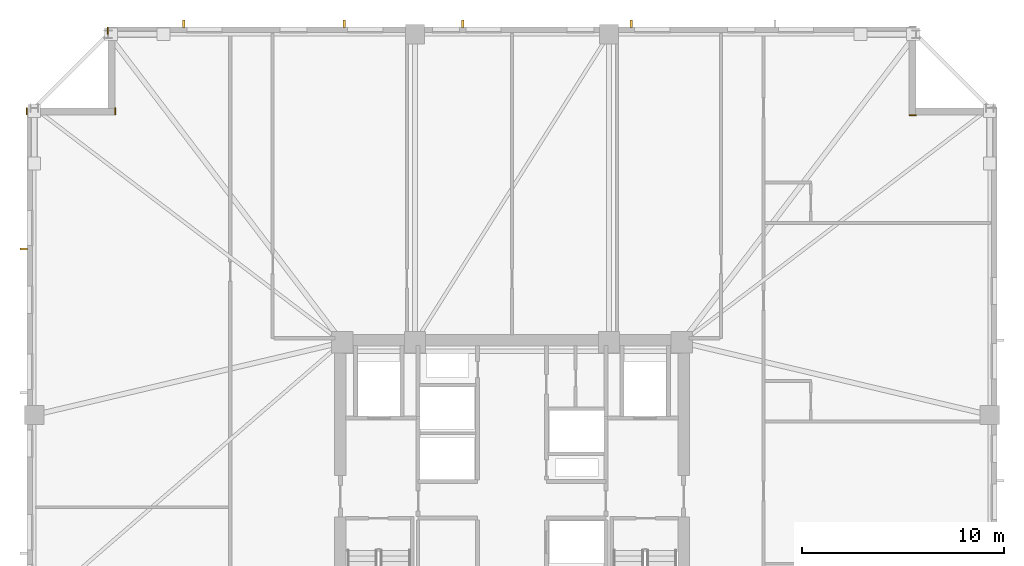
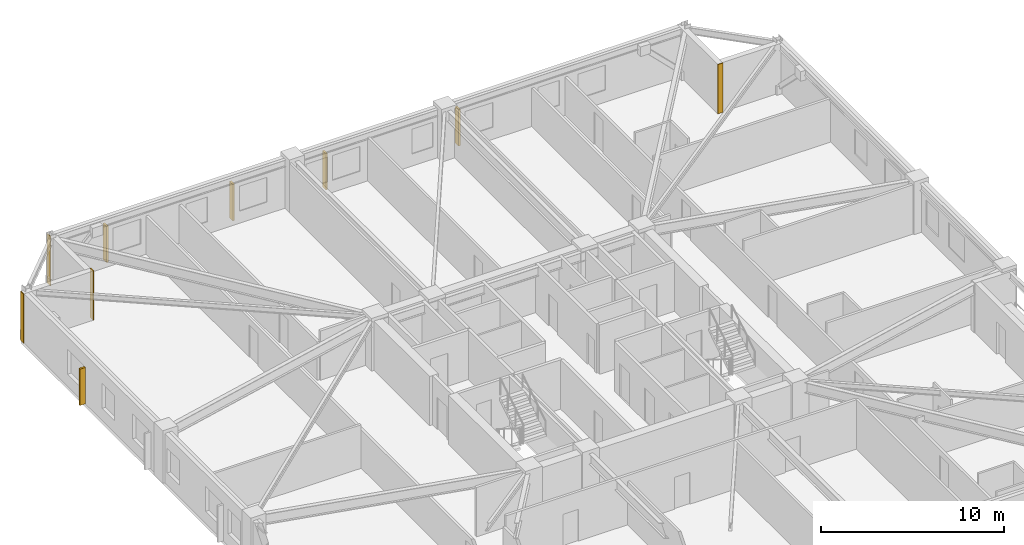
# One storey, part 9 of 10: 5 shading devices, 4 coverings.
"""IFC4 building model written with IfcOpenShell, lengths in metres."""

from ifc_helpers import new_model, si_unit, direction, frame, frame_2d, origin, origin_2d, place, context, subcontext, project, spatial, rectangle, extrude, material, layer, layer_set, type_object, element, save


model = new_model("IFC4")

# Units and contexts
model_context = context("Model", 3, precision=1e-05, world=origin(), true_north=direction((0.0, 1.0)))
body_context = subcontext(model_context, "Body", "Model", "MODEL_VIEW")
ifc_project = project(units=[si_unit("LENGTHUNIT", "METRE"), si_unit("AREAUNIT", "SQUARE_METRE"), si_unit("VOLUMEUNIT", "CUBIC_METRE"), si_unit("PLANEANGLEUNIT", "RADIAN"), si_unit("MASSUNIT", "GRAM", prefix="KILO")], contexts=[model_context])

# Site, building, storey
site_placement = place(None, origin())
site = spatial("IfcSite", under=ifc_project, at=site_placement, CompositionType="ELEMENT")
building_placement = place(site_placement, origin())
building = spatial("IfcBuilding", under=site, at=building_placement, Name="Cairnveth Concourse Tower", CompositionType="ELEMENT")
storey_placement = place(building_placement, frame((0.0, 0.0, 179.5)))
storey = spatial("IfcBuildingStorey", under=building, at=storey_placement, Name="L49", CompositionType="ELEMENT", Elevation=179.5)

# Coverings
ifc_material_1 = material(Name="Dressed Melbourne Bluestone Cladding", Category="masonry")
ifc_layer = layer(ifc_material_1, 0.050048828125)
ifc_layer_set = layer_set([ifc_layer], Name="Dressed Melbourne Bluestone Cladding")
covering_type = type_object("IfcCoveringType", Name="DRESSED BLUESTONE PLINTH CLADDING 50", PredefinedType="CLADDING", material=ifc_layer_set)
for number, where, z_axis, x_axis, name in (
    (1, (27.97998046875, 58.659912109375, 0.0), (0.0, 0.0, 1.0), (0.0, 1.0, 0.0), "Melbourne Bluestone Corner Quoin L49-730"),
    (2, (32.360107421875, 58.659912109375, 0.0), (0.0, 0.0, 1.0), (0.0, 1.0, 0.0), "Melbourne Bluestone Corner Quoin L49-731"),
    (3, (31.97998046875, 62.659912109375, 0.0), (0.0, 0.0, 1.0), (0.0, 1.0, 0.0), "Melbourne Bluestone Corner Quoin L49-732"),
    (4, (71.659912109375, 58.639892578125, 0.0), (0.0, 0.0, 1.0), (1.0, 0.0, 0.0), "Melbourne Bluestone Corner Quoin L49-734"),
):
    element("IfcCovering", number, at=place(storey_placement, frame(where, z_axis=z_axis, x_axis=x_axis)), inside=storey, type_object=covering_type, Name=name, PredefinedType="CLADDING", context=body_context, shape_type="SweptSolid", body=[
        extrude(rectangle(XDim=0.340087890625, YDim=0.050048828125, at=frame_2d((0.169921875, 0.0))), origin(), (0.0, 0.0, 1.0), 3.280029296875),
    ])

# Shading devices
ifc_material_2 = material(Name="Architectural Bronze Anodised Aluminium 6063-T6", Category="aluminium")
shading_device_type = type_object("IfcShadingDeviceType", Name="GOTHIC BRONZE VERTICAL LANCET FIN", PredefinedType="USERDEFINED", material=ifc_material_2)
for number, where, z_axis, x_axis, name in (
    (5, (27.824951171875, 52.020263671875, 0.030029296875), (0.0, 0.0, 1.0), (0.0, 1.0, 0.0), "Gothic Bronze Vertical Fin L49-6-9"),
    (6, (35.74169921875, 63.175048828125, 0.030029296875), (0.0, 0.0, 1.0), (1.0, 0.0, 0.0), "Gothic Bronze Vertical Fin L49-9-1"),
    (7, (43.698974609375, 63.175048828125, 0.030029296875), (0.0, 0.0, 1.0), (1.0, 0.0, 0.0), "Gothic Bronze Vertical Fin L49-9-3"),
    (8, (49.555908203125, 63.175048828125, 0.030029296875), (0.0, 0.0, 1.0), (1.0, 0.0, 0.0), "Gothic Bronze Vertical Fin L49-9-5"),
    (9, (57.9130859375, 63.175048828125, 0.030029296875), (0.0, 0.0, 1.0), (1.0, 0.0, 0.0), "Gothic Bronze Vertical Fin L49-9-7"),
):
    element("IfcShadingDevice", number, at=place(storey_placement, frame(where, z_axis=z_axis, x_axis=x_axis)), inside=storey, type_object=shading_device_type, Name=name, ObjectType="VERTICAL FIN", PredefinedType="USERDEFINED", context=body_context, shape_type="SweptSolid", body=[
        extrude(rectangle(XDim=0.1201171875, YDim=0.360107421875, at=origin_2d()), origin(), (0.0, 0.0, 1.0), 2.419921875),
    ])

save(model, "model.ifc")
